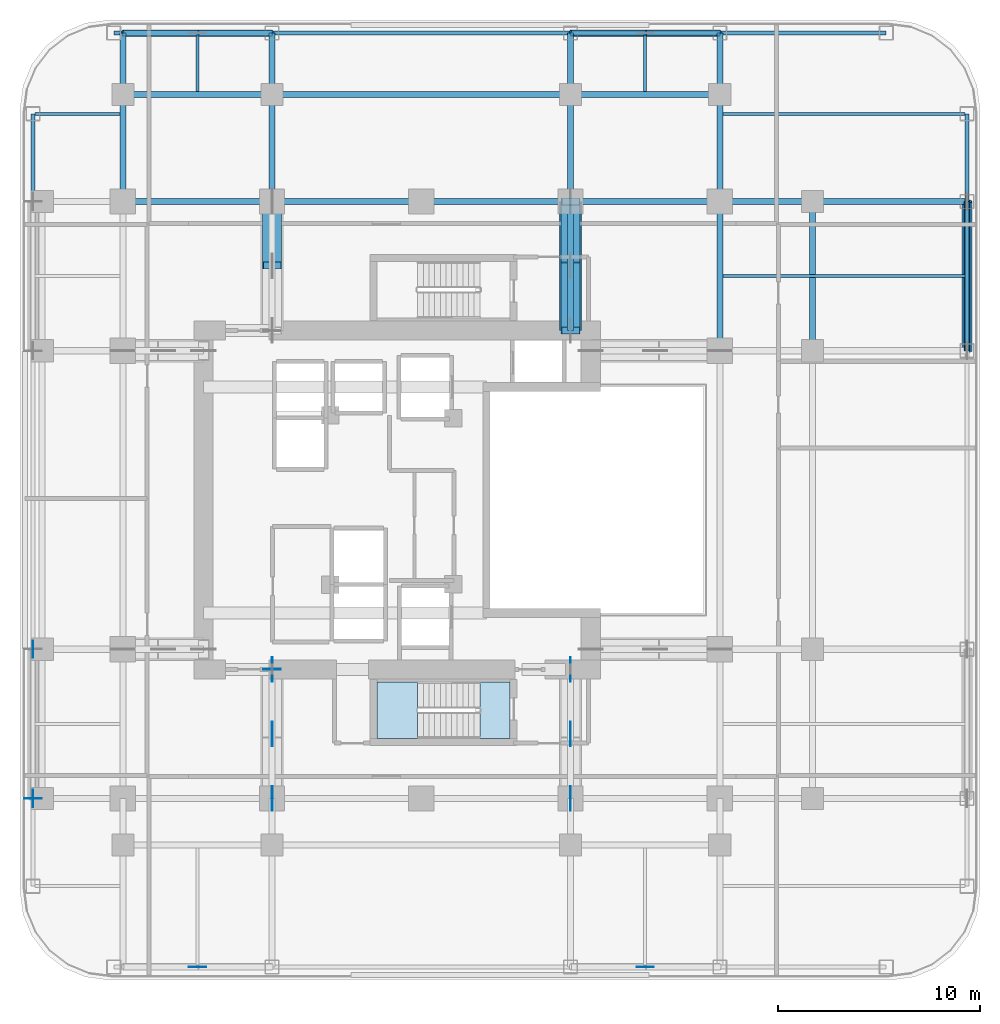
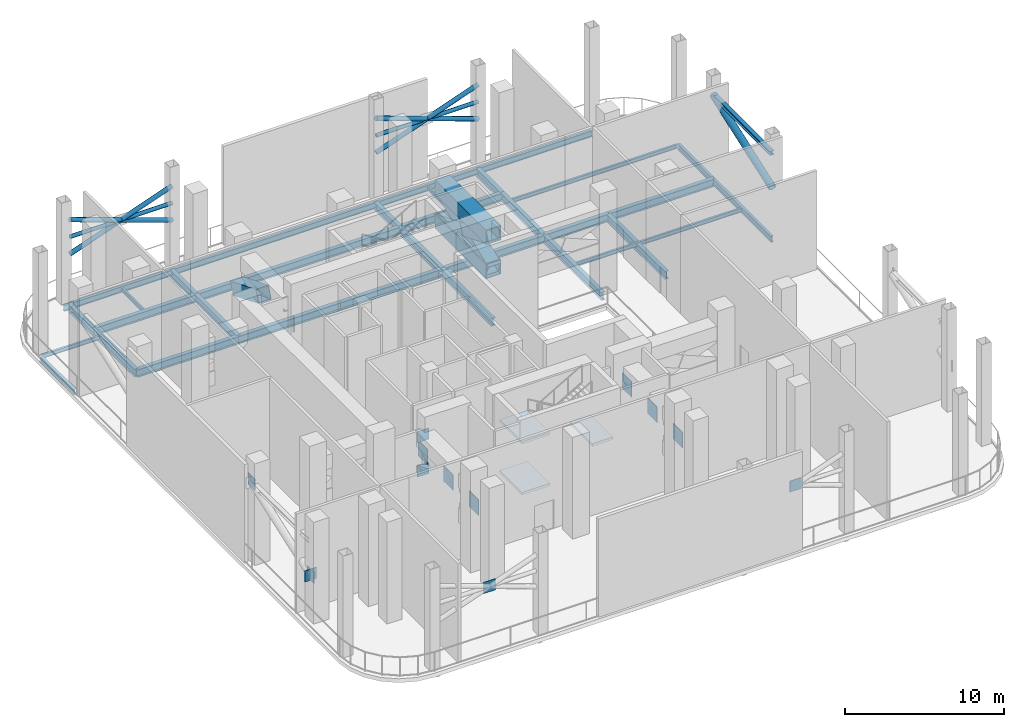
# One storey, part 3 of 10: 32 beams, 16 members, 13 plates, 3 slabs, 1 element without a shape of its own.
"""IFC4 building model written with IfcOpenShell, lengths in metres."""

from ifc_helpers import new_model, si_unit, direction, frame, origin, origin_2d, place, context, subcontext, project, spatial, polyline, rectangle, hollow_rectangle, hollow_circle, i_section, outline, extrude, material, layer, layer_set, material_profile, profile_set, type_object, element, aggregate, save


model = new_model("IFC4")

# Units and contexts
model_context = context("Model", 3, precision=1e-05, world=origin(), true_north=direction((0.0, 1.0)))
body_context = subcontext(model_context, "Body", "Model", "MODEL_VIEW")
ifc_project = project(units=[si_unit("LENGTHUNIT", "METRE"), si_unit("AREAUNIT", "SQUARE_METRE"), si_unit("VOLUMEUNIT", "CUBIC_METRE"), si_unit("PLANEANGLEUNIT", "RADIAN"), si_unit("MASSUNIT", "GRAM", prefix="KILO")], contexts=[model_context])

# Site, building, storey
site_placement = place(None, origin())
site = spatial("IfcSite", under=ifc_project, at=site_placement, CompositionType="ELEMENT")
building_placement = place(site_placement, origin())
building = spatial("IfcBuilding", under=site, at=building_placement, Name="Khorvyn Point Tower", CompositionType="ELEMENT")
storey_placement = place(building_placement, frame((0.0, 0.0, 156.300048828125)))
storey = spatial("IfcBuildingStorey", under=building, at=storey_placement, Name="L39", CompositionType="ELEMENT", Elevation=156.300048828125)

# Beams
ifc_material_1 = material(Name="Steel S355", Category="steel")
ifc_material_profile_1 = material_profile(ifc_material_1, i_section(OverallWidth=0.300048828125, OverallDepth=0.587890625, WebThickness=0.011962890625, FlangeThickness=0.02001953125, at=origin_2d()))
ifc_profile_set_1 = profile_set([ifc_material_profile_1], Name="Steel S355 H588x300x12x20")
beam_type_1 = type_object("IfcBeamType", Name="Steel S355 Beam H588x300x12x20", PredefinedType="BEAM", material=ifc_profile_set_1)
beam_1_placement = place(storey_placement, frame((-14.800048828125, 14.800048828125, -0.593994140625), z_axis=(1.0, 0.0, 0.0), x_axis=(0.0, 1.0, 0.0)))
element("IfcBeam", 1, at=beam_1_placement, inside=storey, type_object=beam_type_1, Name="Beam", PredefinedType="BEAM", context=body_context, shape_type="SweptSolid", body=[
    extrude(i_section(OverallWidth=0.300048828125, OverallDepth=0.587890625, WebThickness=0.011962890625, FlangeThickness=0.02001953125, at=origin_2d()), origin(), (0.0, 0.0, 1.0), 7.400146484375),
])
for number, where, z_axis, x_axis, name in (
    (2, (-7.39990234375, 14.800048828125, -0.593994140625), (1.0, 0.0, 0.0), (0.0, 1.0, 0.0), "Beam"),
    (3, (0.0, 14.800048828125, -0.593994140625), (1.0, 0.0, 0.0), (0.0, 1.0, 0.0), "Beam"),
):
    element("IfcBeam", number, at=place(storey_placement, frame(where, z_axis=z_axis, x_axis=x_axis)), inside=storey, type_object=beam_type_1, Name=name, PredefinedType="BEAM", context=body_context, shape_type="SweptSolid", body=[
        extrude(i_section(OverallWidth=0.300048828125, OverallDepth=0.587890625, WebThickness=0.011962890625, FlangeThickness=0.02001953125, at=origin_2d()), origin(), (0.0, 0.0, 1.0), 7.39990234375),
    ])
beam_2_placement = place(storey_placement, frame((7.39990234375, 14.800048828125, -0.593994140625), z_axis=(1.0, 0.0, 0.0), x_axis=(0.0, 1.0, 0.0)))
element("IfcBeam", 4, at=beam_2_placement, inside=storey, type_object=beam_type_1, Name="Beam", PredefinedType="BEAM", context=body_context, shape_type="SweptSolid", body=[
    extrude(i_section(OverallWidth=0.300048828125, OverallDepth=0.587890625, WebThickness=0.011962890625, FlangeThickness=0.02001953125, at=origin_2d()), origin(), (0.0, 0.0, 1.0), 7.400146484375),
])
beam_3_placement = place(storey_placement, frame((14.800048828125, 14.800048828125, -0.593994140625), z_axis=(1.0, 0.0, 0.0), x_axis=(0.0, 1.0, 0.0)))
element("IfcBeam", 5, at=beam_3_placement, inside=storey, type_object=beam_type_1, Name="Beam", PredefinedType="BEAM", context=body_context, shape_type="SweptSolid", body=[
    extrude(i_section(OverallWidth=0.300048828125, OverallDepth=0.587890625, WebThickness=0.011962890625, FlangeThickness=0.02001953125, at=origin_2d()), origin(), (0.0, 0.0, 1.0), 4.599853515625),
])
beam_4_placement = place(storey_placement, frame((19.39990234375, 14.800048828125, -0.593994140625), z_axis=(1.0, 0.0, 0.0), x_axis=(0.0, 1.0, 0.0)))
element("IfcBeam", 6, at=beam_4_placement, inside=storey, type_object=beam_type_1, Name="Beam", PredefinedType="BEAM", context=body_context, shape_type="SweptSolid", body=[
    extrude(i_section(OverallWidth=0.300048828125, OverallDepth=0.587890625, WebThickness=0.011962890625, FlangeThickness=0.02001953125, at=origin_2d()), origin(), (0.0, 0.0, 1.0), 7.650146484375),
])
beam_5_placement = place(storey_placement, frame((-14.800048828125, 20.10009765625, -0.593994140625), z_axis=(1.0, 0.0, 0.0), x_axis=(0.0, 1.0, 0.0)))
element("IfcBeam", 7, at=beam_5_placement, inside=storey, type_object=beam_type_1, Name="Beam", PredefinedType="BEAM", context=body_context, shape_type="SweptSolid", body=[
    extrude(i_section(OverallWidth=0.300048828125, OverallDepth=0.587890625, WebThickness=0.011962890625, FlangeThickness=0.02001953125, at=origin_2d()), origin(), (0.0, 0.0, 1.0), 7.400146484375),
])
beam_6_placement = place(storey_placement, frame((-7.39990234375, 20.10009765625, -0.593994140625), z_axis=(1.0, 0.0, 0.0), x_axis=(0.0, 1.0, 0.0)))
element("IfcBeam", 8, at=beam_6_placement, inside=storey, type_object=beam_type_1, Name="Beam", PredefinedType="BEAM", context=body_context, shape_type="SweptSolid", body=[
    extrude(i_section(OverallWidth=0.300048828125, OverallDepth=0.587890625, WebThickness=0.011962890625, FlangeThickness=0.02001953125, at=origin_2d()), origin(), (0.0, 0.0, 1.0), 14.7998046875),
])
beam_7_placement = place(storey_placement, frame((7.39990234375, 20.10009765625, -0.593994140625), z_axis=(1.0, 0.0, 0.0), x_axis=(0.0, 1.0, 0.0)))
element("IfcBeam", 9, at=beam_7_placement, inside=storey, type_object=beam_type_1, Name="Beam", PredefinedType="BEAM", context=body_context, shape_type="SweptSolid", body=[
    extrude(i_section(OverallWidth=0.300048828125, OverallDepth=0.587890625, WebThickness=0.011962890625, FlangeThickness=0.02001953125, at=origin_2d()), origin(), (0.0, 0.0, 1.0), 7.400146484375),
])
beam_8_placement = place(storey_placement, frame((-14.800048828125, 14.800048828125, -0.593994140625), z_axis=(0.0, 1.0, 0.0), x_axis=(-1.0, 0.0, 0.0)))
element("IfcBeam", 10, at=beam_8_placement, inside=storey, type_object=beam_type_1, Name="Beam", PredefinedType="BEAM", context=body_context, shape_type="SweptSolid", body=[
    extrude(i_section(OverallWidth=0.300048828125, OverallDepth=0.587890625, WebThickness=0.011962890625, FlangeThickness=0.02001953125, at=origin_2d()), origin(), (0.0, 0.0, 1.0), 5.300048828125),
])
beam_9_placement = place(storey_placement, frame((-14.800048828125, 20.10009765625, -0.593994140625), z_axis=(0.0, 1.0, 0.0), x_axis=(-1.0, 0.0, 0.0)))
element("IfcBeam", 11, at=beam_9_placement, inside=storey, type_object=beam_type_1, Name="Beam", PredefinedType="BEAM", context=body_context, shape_type="SweptSolid", body=[
    extrude(i_section(OverallWidth=0.300048828125, OverallDepth=0.587890625, WebThickness=0.011962890625, FlangeThickness=0.02001953125, at=origin_2d()), origin(), (0.0, 0.0, 1.0), 3.0498046875),
])
beam_10_placement = place(storey_placement, frame((14.800048828125, 7.39990234375, -0.593994140625), z_axis=(0.0, 1.0, 0.0), x_axis=(-1.0, 0.0, 0.0)))
element("IfcBeam", 12, at=beam_10_placement, inside=storey, type_object=beam_type_1, Name="Beam", PredefinedType="BEAM", context=body_context, shape_type="SweptSolid", body=[
    extrude(i_section(OverallWidth=0.300048828125, OverallDepth=0.587890625, WebThickness=0.011962890625, FlangeThickness=0.02001953125, at=origin_2d()), origin(), (0.0, 0.0, 1.0), 7.400146484375),
])
beam_11_placement = place(storey_placement, frame((14.800048828125, 14.800048828125, -0.593994140625), z_axis=(0.0, 1.0, 0.0), x_axis=(-1.0, 0.0, 0.0)))
element("IfcBeam", 13, at=beam_11_placement, inside=storey, type_object=beam_type_1, Name="Beam", PredefinedType="BEAM", context=body_context, shape_type="SweptSolid", body=[
    extrude(i_section(OverallWidth=0.300048828125, OverallDepth=0.587890625, WebThickness=0.011962890625, FlangeThickness=0.02001953125, at=origin_2d()), origin(), (0.0, 0.0, 1.0), 5.300048828125),
])
beam_12_placement = place(storey_placement, frame((14.800048828125, 20.10009765625, -0.593994140625), z_axis=(0.0, 1.0, 0.0), x_axis=(-1.0, 0.0, 0.0)))
element("IfcBeam", 14, at=beam_12_placement, inside=storey, type_object=beam_type_1, Name="Beam", PredefinedType="BEAM", context=body_context, shape_type="SweptSolid", body=[
    extrude(i_section(OverallWidth=0.300048828125, OverallDepth=0.587890625, WebThickness=0.011962890625, FlangeThickness=0.02001953125, at=origin_2d()), origin(), (0.0, 0.0, 1.0), 3.0498046875),
])
beam_13_placement = place(storey_placement, frame((-7.39990234375, 14.800048828125, -0.593994140625), z_axis=(0.0, 1.0, 0.0), x_axis=(-1.0, 0.0, 0.0)))
element("IfcBeam", 15, at=beam_13_placement, inside=storey, type_object=beam_type_1, Name="Beam", PredefinedType="BEAM", context=body_context, shape_type="SweptSolid", body=[
    extrude(i_section(OverallWidth=0.300048828125, OverallDepth=0.587890625, WebThickness=0.011962890625, FlangeThickness=0.02001953125, at=origin_2d()), origin(), (0.0, 0.0, 1.0), 5.300048828125),
])
beam_14_placement = place(storey_placement, frame((-7.39990234375, 20.10009765625, -0.593994140625), z_axis=(0.0, 1.0, 0.0), x_axis=(-1.0, 0.0, 0.0)))
element("IfcBeam", 16, at=beam_14_placement, inside=storey, type_object=beam_type_1, Name="Beam", PredefinedType="BEAM", context=body_context, shape_type="SweptSolid", body=[
    extrude(i_section(OverallWidth=0.300048828125, OverallDepth=0.587890625, WebThickness=0.011962890625, FlangeThickness=0.02001953125, at=origin_2d()), origin(), (0.0, 0.0, 1.0), 3.0498046875),
])
beam_15_placement = place(storey_placement, frame((7.39990234375, 8.39990234375, -0.593994140625), z_axis=(0.0, 1.0, 0.0), x_axis=(-1.0, 0.0, 0.0)))
element("IfcBeam", 17, at=beam_15_placement, inside=storey, type_object=beam_type_1, Name="Beam", PredefinedType="BEAM", context=body_context, shape_type="SweptSolid", body=[
    extrude(i_section(OverallWidth=0.300048828125, OverallDepth=0.587890625, WebThickness=0.011962890625, FlangeThickness=0.02001953125, at=origin_2d()), origin(), (0.0, 0.0, 1.0), 6.400146484375),
])
beam_16_placement = place(storey_placement, frame((7.39990234375, 14.800048828125, -0.593994140625), z_axis=(0.0, 1.0, 0.0), x_axis=(-1.0, 0.0, 0.0)))
element("IfcBeam", 18, at=beam_16_placement, inside=storey, type_object=beam_type_1, Name="Beam", PredefinedType="BEAM", context=body_context, shape_type="SweptSolid", body=[
    extrude(i_section(OverallWidth=0.300048828125, OverallDepth=0.587890625, WebThickness=0.011962890625, FlangeThickness=0.02001953125, at=origin_2d()), origin(), (0.0, 0.0, 1.0), 5.300048828125),
])
beam_17_placement = place(storey_placement, frame((7.39990234375, 20.10009765625, -0.593994140625), z_axis=(0.0, 1.0, 0.0), x_axis=(-1.0, 0.0, 0.0)))
element("IfcBeam", 19, at=beam_17_placement, inside=storey, type_object=beam_type_1, Name="Beam", PredefinedType="BEAM", context=body_context, shape_type="SweptSolid", body=[
    extrude(i_section(OverallWidth=0.300048828125, OverallDepth=0.587890625, WebThickness=0.011962890625, FlangeThickness=0.02001953125, at=origin_2d()), origin(), (0.0, 0.0, 1.0), 3.0498046875),
])
beam_18_placement = place(storey_placement, frame((19.39990234375, 7.39990234375, -0.593994140625), z_axis=(0.0, 1.0, 0.0), x_axis=(-1.0, 0.0, 0.0)))
element("IfcBeam", 20, at=beam_18_placement, inside=storey, type_object=beam_type_1, Name="Beam", PredefinedType="BEAM", context=body_context, shape_type="SweptSolid", body=[
    extrude(i_section(OverallWidth=0.300048828125, OverallDepth=0.587890625, WebThickness=0.011962890625, FlangeThickness=0.02001953125, at=origin_2d()), origin(), (0.0, 0.0, 1.0), 7.400146484375),
])
ifc_material_profile_2 = material_profile(ifc_material_1, i_section(OverallWidth=0.14990234375, OverallDepth=0.300048828125, WebThickness=0.006591796875, FlangeThickness=0.009033203125, at=origin_2d()))
ifc_profile_set_2 = profile_set([ifc_material_profile_2], Name="Steel S355 H300x150x6.5x9")
beam_type_2 = type_object("IfcBeamType", Name="Steel S355 Joist H300x150x6.5x9", PredefinedType="JOIST", material=ifc_profile_set_2)
beam_19_placement = place(storey_placement, frame((14.949951171875, 11.10009765625, -0.449951171875), z_axis=(1.0, 0.0, 0.0), x_axis=(0.0, 1.0, 0.0)))
element("IfcBeam", 21, at=beam_19_placement, inside=storey, type_object=beam_type_2, Name="Beam", PredefinedType="JOIST", context=body_context, shape_type="SweptSolid", body=[
    extrude(i_section(OverallWidth=0.14990234375, OverallDepth=0.300048828125, WebThickness=0.006591796875, FlangeThickness=0.009033203125, at=origin_2d()), origin(), (0.0, 0.0, 1.0), 12.0),
])
for number, where, z_axis, x_axis, name in (
    (22, (-11.10009765625, 20.25, -0.449951171875), (0.0, 1.0, 0.0), (-1.0, 0.0, 0.0), "Beam"),
    (23, (11.10009765625, 20.25, -0.449951171875), (0.0, 1.0, 0.0), (-1.0, 0.0, 0.0), "Beam"),
):
    element("IfcBeam", number, at=place(storey_placement, frame(where, z_axis=z_axis, x_axis=x_axis)), inside=storey, type_object=beam_type_2, Name=name, PredefinedType="JOIST", context=body_context, shape_type="SweptSolid", body=[
        extrude(i_section(OverallWidth=0.14990234375, OverallDepth=0.300048828125, WebThickness=0.006591796875, FlangeThickness=0.009033203125, at=origin_2d()), origin(), (0.0, 0.0, 1.0), 2.800048828125),
    ])
beam_20_placement = place(storey_placement, frame((-19.14990234375, 19.14990234375, -0.449951171875), z_axis=(1.0, 0.0, 0.0), x_axis=(0.0, 1.0, 0.0)))
element("IfcBeam", 24, at=beam_20_placement, inside=storey, type_object=beam_type_2, Name="Beam", PredefinedType="JOIST", context=body_context, shape_type="SweptSolid", body=[
    extrude(i_section(OverallWidth=0.14990234375, OverallDepth=0.300048828125, WebThickness=0.006591796875, FlangeThickness=0.009033203125, at=origin_2d()), origin(), (0.0, 0.0, 1.0), 4.199951171875),
])
beam_21_placement = place(storey_placement, frame((14.949951171875, 19.14990234375, -0.449951171875), z_axis=(1.0, 0.0, 0.0), x_axis=(0.0, 1.0, 0.0)))
element("IfcBeam", 25, at=beam_21_placement, inside=storey, type_object=beam_type_2, Name="Beam", PredefinedType="JOIST", context=body_context, shape_type="SweptSolid", body=[
    extrude(i_section(OverallWidth=0.14990234375, OverallDepth=0.300048828125, WebThickness=0.006591796875, FlangeThickness=0.009033203125, at=origin_2d()), origin(), (0.0, 0.0, 1.0), 12.0),
])
ifc_material_profile_3 = material_profile(ifc_material_1, i_section(OverallWidth=0.199951171875, OverallDepth=0.449951171875, WebThickness=0.009033203125, FlangeThickness=0.013916015625, at=origin_2d()))
ifc_profile_set_3 = profile_set([ifc_material_profile_3], Name="Steel S355 H450x200x9x14")
beam_type_3 = type_object("IfcBeamType", Name="Steel S355 Spandrel H450x200x9x14", PredefinedType="SPANDREL", material=ifc_profile_set_3)
beam_22_placement = place(storey_placement, frame((-15.25, 23.14990234375, -0.525146484375), z_axis=(1.0, 0.0, 0.0), x_axis=(0.0, 1.0, 0.0)))
element("IfcBeam", 26, at=beam_22_placement, inside=storey, type_object=beam_type_3, Name="Beam", PredefinedType="SPANDREL", context=body_context, shape_type="SweptSolid", body=[
    extrude(i_section(OverallWidth=0.199951171875, OverallDepth=0.449951171875, WebThickness=0.009033203125, FlangeThickness=0.013916015625, at=origin_2d()), origin(), (0.0, 0.0, 1.0), 7.85009765625),
])
beam_23_placement = place(storey_placement, frame((-7.39990234375, 23.14990234375, -0.525146484375), z_axis=(1.0, 0.0, 0.0), x_axis=(0.0, 1.0, 0.0)))
element("IfcBeam", 27, at=beam_23_placement, inside=storey, type_object=beam_type_3, Name="Beam", PredefinedType="SPANDREL", context=body_context, shape_type="SweptSolid", body=[
    extrude(i_section(OverallWidth=0.199951171875, OverallDepth=0.449951171875, WebThickness=0.009033203125, FlangeThickness=0.013916015625, at=origin_2d()), origin(), (0.0, 0.0, 1.0), 14.7998046875),
])
beam_24_placement = place(storey_placement, frame((7.39990234375, 23.14990234375, -0.525146484375), z_axis=(1.0, 0.0, 0.0), x_axis=(0.0, 1.0, 0.0)))
element("IfcBeam", 28, at=beam_24_placement, inside=storey, type_object=beam_type_3, Name="Beam", PredefinedType="SPANDREL", context=body_context, shape_type="SweptSolid", body=[
    extrude(i_section(OverallWidth=0.199951171875, OverallDepth=0.449951171875, WebThickness=0.009033203125, FlangeThickness=0.013916015625, at=origin_2d()), origin(), (0.0, 0.0, 1.0), 7.400146484375),
])
beam_25_placement = place(storey_placement, frame((14.800048828125, 23.14990234375, -0.525146484375), z_axis=(1.0, 0.0, 0.0), x_axis=(0.0, 1.0, 0.0)))
element("IfcBeam", 29, at=beam_25_placement, inside=storey, type_object=beam_type_3, Name="Beam", PredefinedType="SPANDREL", context=body_context, shape_type="SweptSolid", body=[
    extrude(i_section(OverallWidth=0.199951171875, OverallDepth=0.449951171875, WebThickness=0.009033203125, FlangeThickness=0.013916015625, at=origin_2d()), origin(), (0.0, 0.0, 1.0), 8.25),
])
beam_26_placement = place(storey_placement, frame((-19.25, 14.800048828125, -0.525146484375), z_axis=(0.0, 1.0, 0.0), x_axis=(-1.0, 0.0, 0.0)))
element("IfcBeam", 30, at=beam_26_placement, inside=storey, type_object=beam_type_3, Name="Beam", PredefinedType="SPANDREL", context=body_context, shape_type="SweptSolid", body=[
    extrude(i_section(OverallWidth=0.199951171875, OverallDepth=0.449951171875, WebThickness=0.009033203125, FlangeThickness=0.013916015625, at=origin_2d()), origin(), (0.0, 0.0, 1.0), 4.349853515625),
])
beam_27_placement = place(storey_placement, frame((27.050048828125, 7.39990234375, -0.525146484375), z_axis=(0.0, 1.0, 0.0), x_axis=(-1.0, 0.0, 0.0)))
element("IfcBeam", 31, at=beam_27_placement, inside=storey, type_object=beam_type_3, Name="Beam", PredefinedType="SPANDREL", context=body_context, shape_type="SweptSolid", body=[
    extrude(i_section(OverallWidth=0.199951171875, OverallDepth=0.449951171875, WebThickness=0.009033203125, FlangeThickness=0.013916015625, at=origin_2d()), origin(), (0.0, 0.0, 1.0), 7.400146484375),
])
beam_28_placement = place(storey_placement, frame((27.050048828125, 14.800048828125, -0.525146484375), z_axis=(0.0, 1.0, 0.0), x_axis=(-1.0, 0.0, 0.0)))
element("IfcBeam", 32, at=beam_28_placement, inside=storey, type_object=beam_type_3, Name="Beam", PredefinedType="SPANDREL", context=body_context, shape_type="SweptSolid", body=[
    extrude(i_section(OverallWidth=0.199951171875, OverallDepth=0.449951171875, WebThickness=0.009033203125, FlangeThickness=0.013916015625, at=origin_2d()), origin(), (0.0, 0.0, 1.0), 4.349853515625),
])

# Members
ifc_material_profile_4 = material_profile(ifc_material_1, hollow_circle(Radius=0.161865234375, WallThickness=0.012451171875, at=origin_2d()))
ifc_profile_set_4 = profile_set([ifc_material_profile_4], Name="Steel S355 CHS323.9x12.5")
member_type_1 = type_object("IfcMemberType", Name="Steel S355 Truss Brace CHS323.9x12.5", PredefinedType="BRACE", material=ifc_profile_set_4)
member_1_placement = place(storey_placement, frame((-14.800048828125, 23.14990234375, 3.449951171875), z_axis=(0.942266140376, 0.0, 0.33486492904), x_axis=(0.0, 1.0, 0.0)))
element("IfcMember", 33, at=member_1_placement, inside=storey, type_object=member_type_1, Name="BT-BR1-L39-N1", PredefinedType="BRACE", context=body_context, shape_type="SweptSolid", body=[
    extrude(hollow_circle(Radius=0.161865234375, WallThickness=0.012451171875, at=origin_2d()), origin(), (0.0, 0.0, 1.0), 7.853515625),
])
member_2_placement = place(storey_placement, frame((-14.800048828125, 23.14990234375, 6.079833984375), z_axis=(0.942496380146, 0.0, -0.334216357187), x_axis=(0.0, 1.0, 0.0)))
element("IfcMember", 34, at=member_2_placement, inside=storey, type_object=member_type_1, Name="BT-BR2A-L39-N1", PredefinedType="BRACE", context=body_context, shape_type="SweptSolid", body=[
    extrude(hollow_circle(Radius=0.161865234375, WallThickness=0.012451171875, at=origin_2d()), origin(), (0.0, 0.0, 1.0), 3.904541015625),
])
member_3_placement = place(storey_placement, frame((-11.080078125, 23.14990234375, 4.7548828125), z_axis=(0.94250336403, 0.0, -0.334196661851), x_axis=(0.0, 1.0, 0.0)))
element("IfcMember", 35, at=member_3_placement, inside=storey, type_object=member_type_1, Name="BT-BR2B-L39-N1", PredefinedType="BRACE", context=body_context, shape_type="SweptSolid", body=[
    extrude(hollow_circle(Radius=0.161865234375, WallThickness=0.012451171875, at=origin_2d()), origin(), (0.0, 0.0, 1.0), 3.90478515625),
])
member_4_placement = place(storey_placement, frame((7.39990234375, 23.14990234375, 3.449951171875), z_axis=(0.942266140376, 0.0, 0.33486492904), x_axis=(0.0, 1.0, 0.0)))
element("IfcMember", 36, at=member_4_placement, inside=storey, type_object=member_type_1, Name="BT-BR1-L39-N2", PredefinedType="BRACE", context=body_context, shape_type="SweptSolid", body=[
    extrude(hollow_circle(Radius=0.161865234375, WallThickness=0.012451171875, at=origin_2d()), origin(), (0.0, 0.0, 1.0), 7.853515625),
])
member_5_placement = place(storey_placement, frame((7.39990234375, 23.14990234375, 6.079833984375), z_axis=(0.94250336403, 0.0, -0.334196661851), x_axis=(0.0, 1.0, 0.0)))
element("IfcMember", 37, at=member_5_placement, inside=storey, type_object=member_type_1, Name="BT-BR2A-L39-N2", PredefinedType="BRACE", context=body_context, shape_type="SweptSolid", body=[
    extrude(hollow_circle(Radius=0.161865234375, WallThickness=0.012451171875, at=origin_2d()), origin(), (0.0, 0.0, 1.0), 3.90478515625),
])
member_6_placement = place(storey_placement, frame((11.1201171875, 23.14990234375, 4.7548828125), z_axis=(0.942496380146, 0.0, -0.334216357187), x_axis=(0.0, 1.0, 0.0)))
element("IfcMember", 38, at=member_6_placement, inside=storey, type_object=member_type_1, Name="BT-BR2B-L39-N2", PredefinedType="BRACE", context=body_context, shape_type="SweptSolid", body=[
    extrude(hollow_circle(Radius=0.161865234375, WallThickness=0.012451171875, at=origin_2d()), origin(), (0.0, 0.0, 1.0), 3.904541015625),
])
ifc_material_profile_5 = material_profile(ifc_material_1, hollow_circle(Radius=0.136474609375, WallThickness=0.010009765625, at=origin_2d()))
ifc_profile_set_5 = profile_set([ifc_material_profile_5], Name="Steel S355 CHS273x10")
member_type_2 = type_object("IfcMemberType", Name="Steel S355 Truss Chord CHS273x10", PredefinedType="CHORD", material=ifc_profile_set_5)
for number, where, z_axis, x_axis, name in (
    (39, (-14.800048828125, 23.14990234375, 4.764892578125), (1.0, 0.0, 0.0), (0.0, 1.0, 0.0), "L39 Belt Truss Chord"),
    (40, (7.39990234375, 23.14990234375, 4.764892578125), (1.0, 0.0, 0.0), (0.0, 1.0, 0.0), "L39 Belt Truss Chord"),
):
    element("IfcMember", number, at=place(storey_placement, frame(where, z_axis=z_axis, x_axis=x_axis)), inside=storey, type_object=member_type_2, Name=name, PredefinedType="CHORD", context=body_context, shape_type="SweptSolid", body=[
        extrude(hollow_circle(Radius=0.136474609375, WallThickness=0.010009765625, at=origin_2d()), origin(), (0.0, 0.0, 1.0), 7.400146484375),
    ])
ifc_material_profile_6 = material_profile(ifc_material_1, i_section(OverallWidth=0.300048828125, OverallDepth=0.300048828125, WebThickness=0.010009765625, FlangeThickness=0.014892578125, at=origin_2d()))
ifc_profile_set_6 = profile_set([ifc_material_profile_6], Name="Steel S355 H300x300x10x15")
member_type_3 = type_object("IfcMemberType", Name="Steel S355 Truss Chord H300x300x10x15", PredefinedType="CHORD", material=ifc_profile_set_6)
member_7_placement = place(storey_placement, frame((27.050048828125, 7.39990234375, 6.079833984375), z_axis=(0.0, 1.0, 0.0), x_axis=(-1.0, 0.0, 0.0)))
element("IfcMember", 41, at=member_7_placement, inside=storey, type_object=member_type_3, Name="EXO-CH1-L39-E2", PredefinedType="CHORD", context=body_context, shape_type="SweptSolid", body=[
    extrude(i_section(OverallWidth=0.300048828125, OverallDepth=0.300048828125, WebThickness=0.010009765625, FlangeThickness=0.014892578125, at=origin_2d()), origin(), (0.0, 0.0, 1.0), 7.400146484375),
])
ifc_material_2 = material(Name="Steel S450", Category="steel")
ifc_material_profile_7 = material_profile(ifc_material_2, hollow_rectangle(XDim=0.949951171875, YDim=0.949951171875, WallThickness=0.0400390625, at=origin_2d()))
ifc_profile_set_7 = profile_set([ifc_material_profile_7], Name="Steel S450 BOX950x950x40")
member_type_4 = type_object("IfcMemberType", Name="Steel S450 Truss Brace BOX950x950x40", PredefinedType="BRACE", material=ifc_profile_set_7)
member_8_placement = place(storey_placement, frame((-7.39990234375, 11.625, 4.754638671875), z_axis=(0.0, 0.924953299929, -0.380080771613), x_axis=(-1.0, 0.0, 0.0)))
element("IfcMember", 42, at=member_8_placement, inside=storey, type_object=member_type_4, Name="OT-BR2B-L39-NW", PredefinedType="BRACE", context=body_context, shape_type="SweptSolid", body=[
    extrude(hollow_rectangle(XDim=0.949951171875, YDim=0.949951171875, WallThickness=0.0400390625, at=origin_2d()), origin(), (0.0, 0.0, 1.0), 3.4326171875),
])
member_9_placement = place(storey_placement, frame((7.39990234375, 8.39990234375, 3.449951171875), z_axis=(0.0, 0.924956256677, 0.38007357608), x_axis=(-1.0, 0.0, 0.0)))
element("IfcMember", 43, at=member_9_placement, inside=storey, type_object=member_type_4, Name="OT-BR1-L39-NE", PredefinedType="BRACE", context=body_context, shape_type="SweptSolid", body=[
    extrude(hollow_rectangle(XDim=0.949951171875, YDim=0.949951171875, WallThickness=0.0400390625, at=origin_2d()), origin(), (0.0, 0.0, 1.0), 6.91943359375),
])
for number, where, z_axis, x_axis, name in (
    (44, (7.39990234375, 8.39990234375, 6.079833984375), (0.0, 0.924953299929, -0.380080771613), (-1.0, 0.0, 0.0), "OT-BR2A-L39-NE"),
    (45, (7.39990234375, 11.625, 4.754638671875), (0.0, 0.924953299929, -0.380080771613), (-1.0, 0.0, 0.0), "OT-BR2B-L39-NE"),
):
    element("IfcMember", number, at=place(storey_placement, frame(where, z_axis=z_axis, x_axis=x_axis)), inside=storey, type_object=member_type_4, Name=name, PredefinedType="BRACE", context=body_context, shape_type="SweptSolid", body=[
        extrude(hollow_rectangle(XDim=0.949951171875, YDim=0.949951171875, WallThickness=0.0400390625, at=origin_2d()), origin(), (0.0, 0.0, 1.0), 3.4326171875),
    ])
ifc_material_profile_8 = material_profile(ifc_material_2, hollow_circle(Radius=0.25390625, WallThickness=0.02001953125, at=origin_2d()))
ifc_profile_set_8 = profile_set([ifc_material_profile_8], Name="Steel S450 CHS508x20")
member_type_5 = type_object("IfcMemberType", Name="Steel S450 Truss Brace CHS508x20", PredefinedType="BRACE", material=ifc_profile_set_8)
member_10_placement = place(storey_placement, frame((27.050048828125, 7.39990234375, 3.449951171875), z_axis=(0.0, 0.942266140376, 0.33486492904), x_axis=(-1.0, 0.0, 0.0)))
element("IfcMember", 46, at=member_10_placement, inside=storey, type_object=member_type_5, Name="EXO-BR1-L39-E2", PredefinedType="BRACE", context=body_context, shape_type="SweptSolid", body=[
    extrude(hollow_circle(Radius=0.25390625, WallThickness=0.02001953125, at=origin_2d()), origin(), (0.0, 0.0, 1.0), 7.853515625),
])
ifc_material_profile_9 = material_profile(ifc_material_2, hollow_rectangle(XDim=1.10009765625, YDim=1.10009765625, WallThickness=0.044921875, at=origin_2d()))
ifc_profile_set_9 = profile_set([ifc_material_profile_9], Name="Steel S450 BOX1100x1100x45")
member_type_6 = type_object("IfcMemberType", Name="Steel S450 Truss Chord BOX1100x1100x45", PredefinedType="CHORD", material=ifc_profile_set_9)
for number, where, z_axis, x_axis, name in (
    (47, (7.39990234375, 8.39990234375, 3.449951171875), (0.0, 1.0, 0.0), (-1.0, 0.0, 0.0), "L39 Outrigger Truss Chord"),
    (48, (7.39990234375, 8.39990234375, 6.079833984375), (0.0, 1.0, 0.0), (-1.0, 0.0, 0.0), "L39 Outrigger Truss Chord"),
):
    element("IfcMember", number, at=place(storey_placement, frame(where, z_axis=z_axis, x_axis=x_axis)), inside=storey, type_object=member_type_6, Name=name, PredefinedType="CHORD", context=body_context, shape_type="SweptSolid", body=[
        extrude(hollow_rectangle(XDim=1.10009765625, YDim=1.10009765625, WallThickness=0.044921875, at=origin_2d()), origin(), (0.0, 0.0, 1.0), 6.400146484375),
    ])

# Stair, slabs
ifc_material_3 = material(Name="Concrete C40/50", Category="concrete")
stair_type = type_object("IfcStairType", Name="Tower Concrete C40/50 Dogleg Exit Stair", PredefinedType="HALF_TURN_STAIR", material=ifc_material_3)
stair_placement = place(storey_placement, origin())
stair = element("IfcStair", 49, at=stair_placement, inside=storey, type_object=stair_type, Name="L39 Tower Smokeproof Exit Stair South", PredefinedType="HALF_TURN_STAIR")
ifc_layer_1 = layer(ifc_material_3, 0.199951171875)
ifc_layer_set_1 = layer_set([ifc_layer_1], Name="Concrete C40/50 Stair Landing Slab 200")
slab_type = type_object("IfcSlabType", Name="Concrete C40/50 Stair Landing Slab 200", PredefinedType="LANDING", material=ifc_layer_set_1)
slab_1_placement = place(storey_placement, frame((0.0, 0.0, 1.75)))
slab_1 = element("IfcSlab", 50, at=slab_1_placement, type_object=slab_type, Name="ST-01 landing 1", PredefinedType="LANDING", context=body_context, shape_type="SweptSolid", body=[
    extrude(outline(polyline([(-0.179931640625, -9.02001953125), (-2.199951171875, -9.02001953125), (-2.199951171875, -11.820068359375), (-0.179931640625, -11.820068359375), (-0.179931640625, -9.02001953125)])), origin(), (0.0, 0.0, 1.0), 0.199951171875),
])
slab_2_placement = place(storey_placement, frame((0.0, 0.0, 3.699951171875)))
slab_2 = element("IfcSlab", 51, at=slab_2_placement, type_object=slab_type, Name="ST-01 landing 2", PredefinedType="LANDING", context=body_context, shape_type="SweptSolid", body=[
    extrude(outline(polyline([(4.39990234375, -9.02001953125), (2.89990234375, -9.02001953125), (2.89990234375, -11.820068359375), (4.39990234375, -11.820068359375), (4.39990234375, -9.02001953125)])), origin(), (0.0, 0.0, 1.0), 0.199951171875),
])
slab_3_placement = place(storey_placement, frame((0.0, 0.0, 5.64990234375)))
slab_3 = element("IfcSlab", 52, at=slab_3_placement, type_object=slab_type, Name="ST-01 landing 3", PredefinedType="LANDING", context=body_context, shape_type="SweptSolid", body=[
    extrude(outline(polyline([(-0.179931640625, -9.02001953125), (-2.199951171875, -9.02001953125), (-2.199951171875, -11.820068359375), (-0.179931640625, -11.820068359375), (-0.179931640625, -9.02001953125)])), origin(), (0.0, 0.0, 1.0), 0.199951171875),
])
aggregate(stair, [slab_1, slab_2, slab_3])

# Plates
ifc_layer_2 = layer(ifc_material_2, 0.031982421875)
ifc_layer_set_2 = layer_set([ifc_layer_2], Name="Steel S450 Exoskeleton End Cap Plate 32")
plate_type_1 = type_object("IfcPlateType", Name="Steel S450 Exoskeleton End Cap Plate 32", PredefinedType="USERDEFINED", material=ifc_layer_set_2)
for number, where, z_axis, x_axis, name in (
    (53, (-11.10009765625, -23.14990234375, 4.3349609375), (0.0, 0.0, 1.0), (1.0, 0.0, 0.0), "NP-BT-L39-S1-M"),
    (54, (11.10009765625, -23.14990234375, 4.3349609375), (0.0, 0.0, 1.0), (1.0, 0.0, 0.0), "NP-BT-L39-S2-M"),
):
    element("IfcPlate", number, at=place(storey_placement, frame(where, z_axis=z_axis, x_axis=x_axis)), inside=storey, type_object=plate_type_1, Name=name, ObjectType="GUSSET", PredefinedType="USERDEFINED", context=body_context, shape_type="SweptSolid", body=[
        extrude(rectangle(XDim=0.860107421875, YDim=0.031982421875, at=origin_2d()), origin(), (0.0, 0.0, 1.0), 0.860107421875),
    ])
for number, where, z_axis, x_axis, name in (
    (55, (-19.25, -7.39990234375, 5.64990234375), (0.0, 0.0, 1.0), (1.0, 0.0, 0.0), "NP-EXO-L39-W1"),
    (56, (-19.25, -14.800048828125, 3.02001953125), (0.0, 0.0, 1.0), (1.0, 0.0, 0.0), "NP-EXO-BOT-L39-W1"),
):
    element("IfcPlate", number, at=place(storey_placement, frame(where, z_axis=z_axis, x_axis=x_axis)), inside=storey, type_object=plate_type_1, Name=name, ObjectType="GUSSET", PredefinedType="USERDEFINED", context=body_context, shape_type="SweptSolid", body=[
        extrude(rectangle(XDim=0.031982421875, YDim=0.860107421875, at=origin_2d()), origin(), (0.0, 0.0, 1.0), 0.860107421875),
    ])
for number, where, z_axis, x_axis, name in (
    (57, (-7.39990234375, -8.389892578125, 3.02001953125), (0.0, 0.0, 1.0), (1.0, 0.0, 0.0), "Plate"),
    (58, (-7.39990234375, -8.389892578125, 5.64990234375), (0.0, 0.0, 1.0), (1.0, 0.0, 0.0), "Plate"),
    (59, (-19.25, -14.809326171875, 3.0166015625), (0.0, 0.0, 1.0), (1.0, 0.0, 0.0), "Plate"),
):
    element("IfcPlate", number, at=place(storey_placement, frame(where, z_axis=z_axis, x_axis=x_axis)), inside=storey, type_object=plate_type_1, Name=name, ObjectType="GUSSET", PredefinedType="USERDEFINED", context=body_context, shape_type="SweptSolid", body=[
        extrude(rectangle(XDim=0.860107421875, YDim=0.031982421875, at=origin_2d()), origin(), (0.0, 0.0, 1.0), 0.860107421875),
    ])
ifc_layer_3 = layer(ifc_material_2, 0.0400390625)
ifc_layer_set_3 = layer_set([ifc_layer_3], Name="Steel S450 Outrigger Gusset Node Plate 40")
plate_type_2 = type_object("IfcPlateType", Name="Steel S450 Outrigger Gusset Node Plate 40", PredefinedType="USERDEFINED", material=ifc_layer_set_3)
for number, where, z_axis, x_axis, name in (
    (60, (-7.39990234375, -14.800048828125, 4.1650390625), (0.0, 0.0, 1.0), (1.0, 0.0, 0.0), "NP-OT-L39-SW"),
    (61, (-7.39990234375, -8.39990234375, 4.1650390625), (0.0, 0.0, 1.0), (1.0, 0.0, 0.0), "NP-OT-IN-L39-SW"),
    (62, (-7.39990234375, -11.60009765625, 4.1650390625), (0.0, 0.0, 1.0), (1.0, 0.0, 0.0), "NP-OT-MID-L39-SW"),
    (63, (7.39990234375, -14.800048828125, 4.1650390625), (0.0, 0.0, 1.0), (1.0, 0.0, 0.0), "NP-OT-L39-SE"),
    (64, (7.39990234375, -8.39990234375, 4.1650390625), (0.0, 0.0, 1.0), (1.0, 0.0, 0.0), "NP-OT-IN-L39-SE"),
    (65, (7.39990234375, -11.60009765625, 4.1650390625), (0.0, 0.0, 1.0), (1.0, 0.0, 0.0), "NP-OT-MID-L39-SE"),
):
    element("IfcPlate", number, at=place(storey_placement, frame(where, z_axis=z_axis, x_axis=x_axis)), inside=storey, type_object=plate_type_2, Name=name, ObjectType="GUSSET", PredefinedType="USERDEFINED", context=body_context, shape_type="SweptSolid", body=[
        extrude(rectangle(XDim=0.0400390625, YDim=1.199951171875, at=origin_2d()), origin(), (0.0, 0.0, 1.0), 1.199951171875),
    ])

save(model, "model.ifc")
